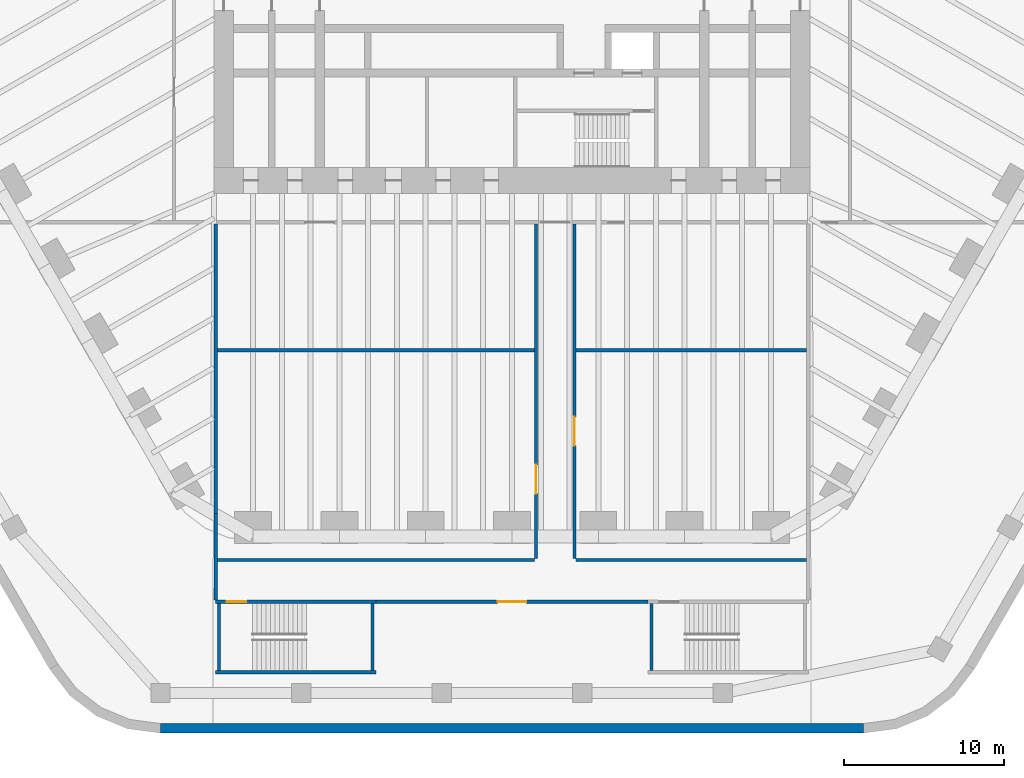
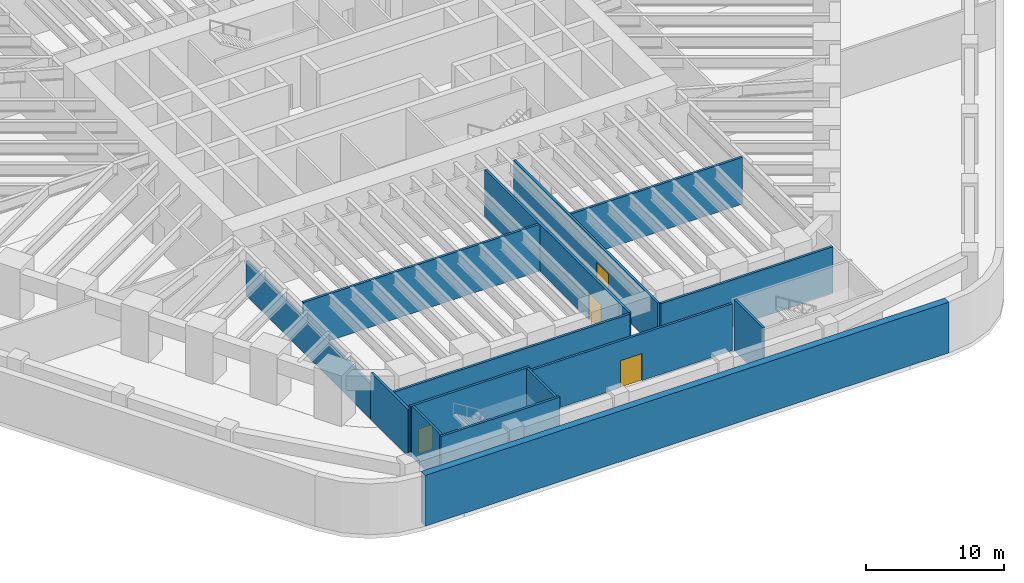
# One storey, part 4 of 12: 15 walls, 4 doors, 4 openings.
"""IFC4 building model written with IfcOpenShell, lengths in metres."""

from ifc_helpers import new_model, si_unit, direction, frame, frame_2d, origin, place, context, subcontext, project, spatial, rectangle, extrude, material, layer, layer_set, type_object, element, fill, save


model = new_model("IFC4")

# Units and contexts
model_context = context("Model", 3, precision=1e-05, world=origin(), true_north=direction((0.0, 1.0)))
body_context = subcontext(model_context, "Body", "Model", "MODEL_VIEW")
ifc_project = project(units=[si_unit("LENGTHUNIT", "METRE"), si_unit("AREAUNIT", "SQUARE_METRE"), si_unit("VOLUMEUNIT", "CUBIC_METRE"), si_unit("PLANEANGLEUNIT", "RADIAN"), si_unit("MASSUNIT", "GRAM", prefix="KILO")], contexts=[model_context])

# Site, building, storey
site_placement = place(None, origin())
site = spatial("IfcSite", under=ifc_project, at=site_placement, CompositionType="ELEMENT")
building_placement = place(site_placement, origin())
building = spatial("IfcBuilding", under=site, at=building_placement, Name="Tarfa Lantern Tower", CompositionType="ELEMENT")
storey_placement = place(building_placement, frame((0.0, 0.0, -4.5)))
storey = spatial("IfcBuildingStorey", under=building, at=storey_placement, Name="B1", CompositionType="ELEMENT", Elevation=-4.5)

# Walls
ifc_material_1 = material(Name="Concrete blockwork", Category="masonry")
ifc_layer_1 = layer(ifc_material_1, 0.199951171875)
ifc_layer_set_1 = layer_set([ifc_layer_1], Name="IW1 BLOCKWORK PARTITION 200 EI 120")
wall_type_1 = type_object("IfcWallType", Name="IW1 BLOCKWORK PARTITION 200 EI 120", PredefinedType="PARTITIONING", material=ifc_layer_set_1)
wall_1_placement = place(storey_placement, frame((-18.5, -14.199951171875, 0.0), z_axis=(0.0, 0.0, 1.0), x_axis=(0.0, -1.0, 0.0)))
element("IfcWall", 1, at=wall_1_placement, inside=storey, type_object=wall_type_1, Name="Fire-rated partition", PredefinedType="PARTITIONING", context=body_context, shape_type="SweptSolid", body=[
    extrude(rectangle(XDim=18.09033203125, YDim=0.199951171875, at=frame_2d((9.045166015625, 0.0))), origin(), (0.0, 0.0, 1.0), 3.093994140625),
])
wall_2_placement = place(storey_placement, frame((-18.5, -32.290283203125, 0.0), z_axis=(0.0, 0.0, 1.0), x_axis=(0.0, -1.0, 0.0)))
element("IfcWall", 2, at=wall_2_placement, inside=storey, type_object=wall_type_1, Name="Fire-rated partition", PredefinedType="PARTITIONING", context=body_context, shape_type="SweptSolid", body=[
    extrude(rectangle(XDim=5.40966796875, YDim=0.199951171875, at=frame_2d((2.704833984375, 0.0))), origin(), (0.0, 0.0, 1.0), 4.14990234375),
])

# Wall, opening, door
wall_3_placement = place(storey_placement, frame((1.5, -14.199951171875, 0.0), z_axis=(0.0, 0.0, 1.0), x_axis=(0.0, -1.0, 0.0)))
wall_3 = element("IfcWall", 3, at=wall_3_placement, inside=storey, type_object=wall_type_1, Name="Fire-rated partition", PredefinedType="PARTITIONING", context=body_context, shape_type="SweptSolid", body=[
    extrude(rectangle(XDim=20.900146484375, YDim=0.199951171875, at=frame_2d((10.4501953125, 0.0))), origin(), (0.0, 0.0, 1.0), 4.14990234375),
])
opening_1_placement = place(wall_3_placement, frame((15.050048828125, 0.0, 0.0)))
opening_1 = element("IfcOpeningElement", 4, at=opening_1_placement, cuts=wall_3, Name="Opening D40", PredefinedType="OPENING", context=body_context, shape_type="SweptSolid", body=[
    extrude(rectangle(XDim=1.800048828125, YDim=2.39990234375, at=frame_2d((0.89990234375, 1.199951171875))), frame((0.0, 0.10986328125, 0.0), z_axis=(0.0, -1.0, 0.0), x_axis=(1.0, 0.0, 0.0)), (0.0, 0.0, 1.0), 0.219970703125),
])
ifc_material_2 = material(Name="Steel fire door", Category="steel")
door_type_1 = type_object("IfcDoorType", Name="DF7 FIRE DOOR 1800x2400", OperationType="DOUBLE_DOOR_SINGLE_SWING", PredefinedType="DOOR", material=ifc_material_2)
door_1_placement = place(opening_1_placement, frame((1.800048828125, 0.0, 0.0), z_axis=(0.0, 0.0, 1.0), x_axis=(-1.0, 0.0, 0.0)))
door_1 = element("IfcDoor", 5, at=door_1_placement, inside=storey, type_object=door_type_1, Name="Records store door", OperationType="DOUBLE_DOOR_SINGLE_SWING", OverallHeight=2.39990234375, OverallWidth=1.800048828125, PredefinedType="DOOR", context=body_context, shape_type="SweptSolid", body=[
    extrude(rectangle(XDim=1.800048828125, YDim=2.39990234375, at=frame_2d((0.89990234375, 1.199951171875))), frame((0.0, 0.02490234375, 0.0), z_axis=(0.0, -1.0, 0.0), x_axis=(1.0, 0.0, 0.0)), (0.0, 0.0, 1.0), 0.050048828125),
])
fill(opening_1, door_1)

wall_4_placement = place(storey_placement, frame((3.89990234375, -14.199951171875, 0.0), z_axis=(0.0, 0.0, 1.0), x_axis=(0.0, -1.0, 0.0)))
wall_4 = element("IfcWall", 6, at=wall_4_placement, inside=storey, type_object=wall_type_1, Name="Fire-rated partition", PredefinedType="PARTITIONING", context=body_context, shape_type="SweptSolid", body=[
    extrude(rectangle(XDim=20.900146484375, YDim=0.199951171875, at=frame_2d((10.4501953125, 0.0))), origin(), (0.0, 0.0, 1.0), 4.14990234375),
])
opening_2_placement = place(wall_4_placement, frame((12.050048828125, 0.0, 0.0)))
opening_2 = element("IfcOpeningElement", 7, at=opening_2_placement, cuts=wall_4, Name="Opening D38", PredefinedType="OPENING", context=body_context, shape_type="SweptSolid", body=[
    extrude(rectangle(XDim=1.800048828125, YDim=2.39990234375, at=frame_2d((0.89990234375, 1.199951171875))), frame((0.0, 0.10986328125, 0.0), z_axis=(0.0, -1.0, 0.0), x_axis=(1.0, 0.0, 0.0)), (0.0, 0.0, 1.0), 0.219970703125),
])
door_2_placement = place(opening_2_placement, origin())
door_2 = element("IfcDoor", 8, at=door_2_placement, inside=storey, type_object=door_type_1, Name="Strong room door", OperationType="DOUBLE_DOOR_SINGLE_SWING", OverallHeight=2.39990234375, OverallWidth=1.800048828125, PredefinedType="DOOR", context=body_context, shape_type="SweptSolid", body=[
    extrude(rectangle(XDim=1.800048828125, YDim=2.39990234375, at=frame_2d((0.89990234375, 1.199951171875))), frame((0.0, 0.02490234375, 0.0), z_axis=(0.0, -1.0, 0.0), x_axis=(1.0, 0.0, 0.0)), (0.0, 0.0, 1.0), 0.050048828125),
])
fill(opening_2, door_2)

# Walls
wall_5_placement = place(storey_placement, frame((-18.39990234375, -22.10009765625, 0.0), z_axis=(0.0, 0.0, 1.0), x_axis=(1.0, 0.0, 0.0)))
element("IfcWall", 9, at=wall_5_placement, inside=storey, type_object=wall_type_1, Name="Fire-rated partition", PredefinedType="PARTITIONING", context=body_context, shape_type="SweptSolid", body=[
    extrude(rectangle(XDim=19.7998046875, YDim=0.199951171875, at=frame_2d((9.89990234375, 0.0))), origin(), (0.0, 0.0, 1.0), 4.14990234375),
])
wall_6_placement = place(storey_placement, frame((4.0, -22.10009765625, 0.0), z_axis=(0.0, 0.0, 1.0), x_axis=(1.0, 0.0, 0.0)))
element("IfcWall", 10, at=wall_6_placement, inside=storey, type_object=wall_type_1, Name="Fire-rated partition", PredefinedType="PARTITIONING", context=body_context, shape_type="SweptSolid", body=[
    extrude(rectangle(XDim=14.39990234375, YDim=0.199951171875, at=frame_2d((7.199951171875, 0.0))), origin(), (0.0, 0.0, 1.0), 4.14990234375),
])
wall_7_placement = place(storey_placement, frame((-18.39990234375, -35.199951171875, 0.0), z_axis=(0.0, 0.0, 1.0), x_axis=(1.0, 0.0, 0.0)))
element("IfcWall", 11, at=wall_7_placement, inside=storey, type_object=wall_type_1, Name="Fire-rated partition", PredefinedType="PARTITIONING", context=body_context, shape_type="SweptSolid", body=[
    extrude(rectangle(XDim=19.7998046875, YDim=0.199951171875, at=frame_2d((9.89990234375, 0.0))), origin(), (0.0, 0.0, 1.0), 4.14990234375),
])
wall_8_placement = place(storey_placement, frame((4.0, -35.199951171875, 0.0), z_axis=(0.0, 0.0, 1.0), x_axis=(1.0, 0.0, 0.0)))
element("IfcWall", 12, at=wall_8_placement, inside=storey, type_object=wall_type_1, Name="Fire-rated partition", PredefinedType="PARTITIONING", context=body_context, shape_type="SweptSolid", body=[
    extrude(rectangle(XDim=14.39990234375, YDim=0.199951171875, at=frame_2d((7.199951171875, 0.0))), origin(), (0.0, 0.0, 1.0), 4.14990234375),
])

# Wall, opening, door
wall_9_placement = place(storey_placement, frame((-8.5, -37.800048828125, 0.0), z_axis=(0.0, 0.0, 1.0), x_axis=(1.0, 0.0, 0.0)))
wall_9 = element("IfcWall", 13, at=wall_9_placement, inside=storey, type_object=wall_type_1, Name="Fire-rated partition", PredefinedType="PARTITIONING", context=body_context, shape_type="SweptSolid", body=[
    extrude(rectangle(XDim=17.0, YDim=0.199951171875, at=frame_2d((8.5, 0.0))), origin(), (0.0, 0.0, 1.0), 4.14990234375),
])
opening_3_placement = place(wall_9_placement, frame((7.60009765625, 0.0, 0.0)))
opening_3 = element("IfcOpeningElement", 14, at=opening_3_placement, cuts=wall_9, Name="Opening D35", PredefinedType="OPENING", context=body_context, shape_type="SweptSolid", body=[
    extrude(rectangle(XDim=1.800048828125, YDim=2.39990234375, at=frame_2d((0.89990234375, 1.199951171875))), frame((0.0, 0.10986328125, 0.0), z_axis=(0.0, -1.0, 0.0), x_axis=(1.0, 0.0, 0.0)), (0.0, 0.0, 1.0), 0.219970703125),
])
door_3_placement = place(opening_3_placement, frame((1.800048828125, 0.0, 0.0), z_axis=(0.0, 0.0, 1.0), x_axis=(-1.0, 0.0, 0.0)))
door_3 = element("IfcDoor", 15, at=door_3_placement, inside=storey, type_object=door_type_1, Name="Plant room door", OperationType="DOUBLE_DOOR_SINGLE_SWING", OverallHeight=2.39990234375, OverallWidth=1.800048828125, PredefinedType="DOOR", context=body_context, shape_type="SweptSolid", body=[
    extrude(rectangle(XDim=1.800048828125, YDim=2.39990234375, at=frame_2d((0.89990234375, 1.199951171875))), frame((0.0, 0.02490234375, 0.0), z_axis=(0.0, -1.0, 0.0), x_axis=(1.0, 0.0, 0.0)), (0.0, 0.0, 1.0), 0.050048828125),
])
fill(opening_3, door_3)

# Walls
ifc_material_3 = material(Name="Concrete C50/60", Category="concrete")
ifc_layer_2 = layer(ifc_material_3, 0.60009765625)
ifc_layer_set_2 = layer_set([ifc_layer_2], Name="RW1 RETAINING WALL 600")
wall_type_2 = type_object("IfcWallType", Name="RW1 RETAINING WALL 600", PredefinedType="SOLIDWALL", material=ifc_layer_set_2)
wall_10_placement = place(storey_placement, frame((-21.939208984375, -45.699951171875, 0.0), z_axis=(0.0, 0.0, 1.0), x_axis=(1.0, 0.0, 0.0)))
element("IfcWall", 16, at=wall_10_placement, inside=storey, type_object=wall_type_2, Name="Retaining wall S", PredefinedType="SOLIDWALL", context=body_context, shape_type="SweptSolid", body=[
    extrude(rectangle(XDim=43.87841796875, YDim=0.60009765625, at=frame_2d((21.939208984375, 0.0))), origin(), (0.0, 0.0, 1.0), 4.5),
])
ifc_material_4 = material(Name="Concrete C80/95", Category="concrete")
ifc_layer_3 = layer(ifc_material_4, 0.199951171875)
ifc_layer_set_3 = layer_set([ifc_layer_3], Name="SW12 CORE WALL 200")
wall_type_3 = type_object("IfcWallType", Name="SW12 CORE WALL 200", PredefinedType="SHEAR", material=ifc_layer_set_3)
wall_11_placement = place(storey_placement, frame((-18.5, -42.199951171875, 0.0), z_axis=(0.0, 0.0, 1.0), x_axis=(1.0, 0.0, 0.0)))
element("IfcWall", 17, at=wall_11_placement, inside=storey, type_object=wall_type_3, Name="Stair ST5 shaft wall", PredefinedType="SHEAR", context=body_context, shape_type="SweptSolid", body=[
    extrude(rectangle(XDim=10.0, YDim=0.199951171875, at=frame_2d((5.0, 0.0))), origin(), (0.0, 0.0, 1.0), 4.5),
])

# Wall, opening, door
wall_12_placement = place(storey_placement, frame((-8.5, -37.800048828125, 0.0), z_axis=(0.0, 0.0, 1.0), x_axis=(-1.0, 0.0, 0.0)))
wall_12 = element("IfcWall", 18, at=wall_12_placement, inside=storey, type_object=wall_type_3, Name="Stair ST5 shaft wall", PredefinedType="SHEAR", context=body_context, shape_type="SweptSolid", body=[
    extrude(rectangle(XDim=10.0, YDim=0.199951171875, at=frame_2d((5.0, 0.0))), origin(), (0.0, 0.0, 1.0), 4.5),
])
opening_4_placement = place(wall_12_placement, frame((8.10009765625, 0.0, 0.0)))
opening_4 = element("IfcOpeningElement", 19, at=opening_4_placement, cuts=wall_12, Name="Opening D31", PredefinedType="OPENING", context=body_context, shape_type="SweptSolid", body=[
    extrude(rectangle(XDim=1.199951171875, YDim=2.199951171875, at=frame_2d((0.60009765625, 1.10009765625))), frame((0.0, 0.10986328125, 0.0), z_axis=(0.0, -1.0, 0.0), x_axis=(1.0, 0.0, 0.0)), (0.0, 0.0, 1.0), 0.219970703125),
])
door_type_2 = type_object("IfcDoorType", Name="DF9 STAIR DOOR 1200x2200", OperationType="SINGLE_SWING_LEFT", PredefinedType="DOOR", material=ifc_material_2)
door_4_placement = place(opening_4_placement, origin())
door_4 = element("IfcDoor", 20, at=door_4_placement, inside=storey, type_object=door_type_2, Name="Stair door", OperationType="SINGLE_SWING_LEFT", OverallHeight=2.199951171875, OverallWidth=1.199951171875, PredefinedType="DOOR", context=body_context, shape_type="SweptSolid", body=[
    extrude(rectangle(XDim=1.199951171875, YDim=2.199951171875, at=frame_2d((0.60009765625, 1.10009765625))), frame((0.0, 0.02490234375, 0.0), z_axis=(0.0, -1.0, 0.0), x_axis=(1.0, 0.0, 0.0)), (0.0, 0.0, 1.0), 0.050048828125),
])
fill(opening_4, door_4)

# Walls
for number, where, z_axis, x_axis, name in (
    (21, (-18.300048828125, -37.89990234375, 0.0), (0.0, 0.0, 1.0), (0.0, -1.0, 0.0), "Stair ST5 shaft wall"),
    (22, (-8.699951171875, -42.10009765625, 0.0), (0.0, 0.0, 1.0), (0.0, 1.0, 0.0), "Stair ST5 shaft wall"),
    (23, (8.699951171875, -37.89990234375, 0.0), (0.0, 0.0, 1.0), (0.0, -1.0, 0.0), "Stair ST6 shaft wall"),
):
    element("IfcWall", number, at=place(storey_placement, frame(where, z_axis=z_axis, x_axis=x_axis)), inside=storey, type_object=wall_type_3, Name=name, PredefinedType="SHEAR", context=body_context, shape_type="SweptSolid", body=[
        extrude(rectangle(XDim=4.2001953125, YDim=0.199951171875, at=frame_2d((2.10009765625, 0.0))), origin(), (0.0, 0.0, 1.0), 4.5),
    ])

save(model, "model.ifc")
